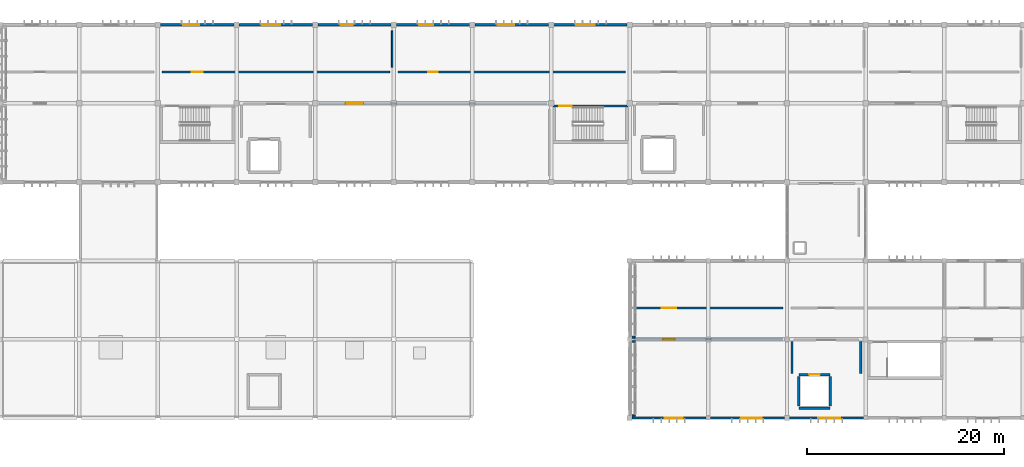
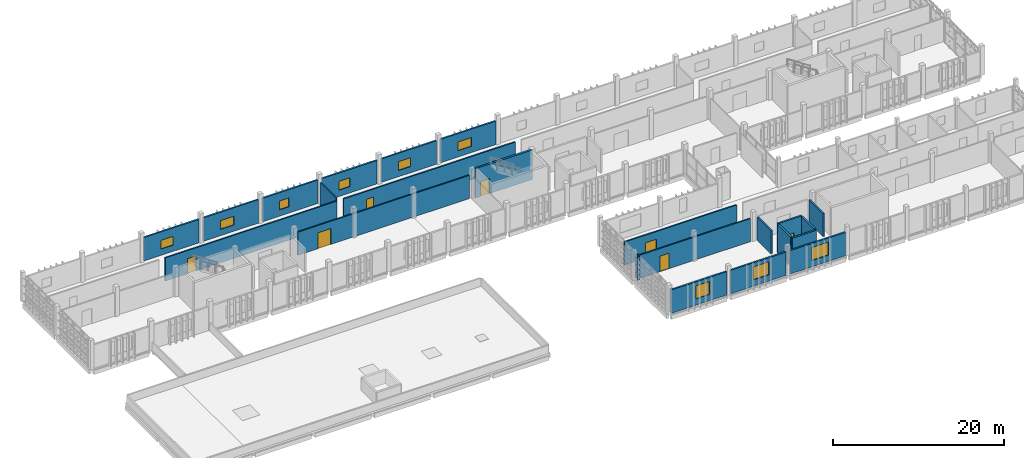
# One storey, part 21 of 32: 25 walls, 9 windows, 7 doors, 16 openings.
"""IFC4 building model written with IfcOpenShell, lengths in metres."""

from ifc_helpers import new_model, si_unit, direction, frame, frame_2d, origin, place, context, subcontext, project, spatial, rectangle, extrude, material, layer, layer_set, type_object, element, fill, save


model = new_model("IFC4")

# Units and contexts
model_context = context("Model", 3, precision=1e-05, world=origin(), true_north=direction((0.0, 1.0)))
body_context = subcontext(model_context, "Body", "Model", "MODEL_VIEW")
ifc_project = project(units=[si_unit("LENGTHUNIT", "METRE"), si_unit("AREAUNIT", "SQUARE_METRE"), si_unit("VOLUMEUNIT", "CUBIC_METRE"), si_unit("PLANEANGLEUNIT", "RADIAN"), si_unit("MASSUNIT", "GRAM", prefix="KILO")], contexts=[model_context])

# Site, building, storey
site_placement = place(None, origin())
site = spatial("IfcSite", under=ifc_project, at=site_placement, CompositionType="ELEMENT")
building_placement = place(site_placement, origin())
building = spatial("IfcBuilding", under=site, at=building_placement, Name="Jelvoka-Kovrelna Polytechnic", CompositionType="ELEMENT")
storey_placement = place(building_placement, frame((0.0, 0.0, 26.39990234375)))
storey = spatial("IfcBuildingStorey", under=building, at=storey_placement, Name="L07", CompositionType="ELEMENT", Elevation=26.39990234375)

# Walls
ifc_material_1 = material(Name="Concrete C35/45", Category="concrete")
ifc_layer_1 = layer(ifc_material_1, 0.219970703125)
ifc_layer_set_1 = layer_set([ifc_layer_1], Name="Concrete C35/45")
wall_type_1 = type_object("IfcWallType", Name="Wall_Compartment_220", PredefinedType="PARTITIONING", material=ifc_layer_set_1)
for number, where, z_axis, x_axis, name in (
    (1, (144.5, 36.550048828125, 0.0), (0.0, 0.0, 1.0), (0.0, 1.0, 0.0), "L07 interior wall 0510"),
    (2, (151.5, 36.550048828125, 0.0), (0.0, 0.0, 1.0), (0.0, 1.0, 0.0), "L07 interior wall 0511"),
):
    element("IfcWall", number, at=place(storey_placement, frame(where, z_axis=z_axis, x_axis=x_axis)), inside=storey, type_object=wall_type_1, Name=name, PredefinedType="PARTITIONING", context=body_context, shape_type="SweptSolid", body=[
        extrude(rectangle(XDim=3.25, YDim=0.219970703125, at=frame_2d((1.625, 0.0))), origin(), (0.0, 0.0, 1.0), 3.300048828125),
    ])

# Wall, opening, door
ifc_material_2 = material(Name="Concrete C40/50", Category="concrete")
ifc_layer_2 = layer(ifc_material_2, 0.25)
ifc_layer_set_2 = layer_set([ifc_layer_2], Name="Concrete C40/50")
wall_type_2 = type_object("IfcWallType", Name="Wall_Core_250", PredefinedType="SOLIDWALL", material=ifc_layer_set_2)
wall_1_placement = place(storey_placement, frame((120.199951171875, 63.739990234375, 0.0), z_axis=(0.0, 0.0, 1.0), x_axis=(1.0, 0.0, 0.0)))
wall_1 = element("IfcWall", 3, at=wall_1_placement, inside=storey, type_object=wall_type_2, Name="L07 interior wall 0247", PredefinedType="SOLIDWALL", context=body_context, shape_type="SweptSolid", body=[
    extrude(rectangle(XDim=7.650146484375, YDim=0.25, at=frame_2d((3.8251953125, 0.0))), origin(), (0.0, 0.0, 1.0), 4.2001953125),
])
opening_1_placement = place(wall_1_placement, frame((0.64990234375, 0.0, 0.0)))
opening_1 = element("IfcOpeningElement", 4, at=opening_1_placement, cuts=wall_1, Name="Opening SD-L07-062", PredefinedType="OPENING", context=body_context, shape_type="SweptSolid", body=[
    extrude(rectangle(XDim=1.25, YDim=2.14990234375, at=frame_2d((0.625, 1.074951171875))), frame((0.0, 0.135009765625, 0.0), z_axis=(0.0, -1.0, 0.0), x_axis=(1.0, 0.0, 0.0)), (0.0, 0.0, 1.0), 0.27001953125),
])
ifc_material_3 = material(Name="Powder-coated steel fire door", Category="steel")
door_type_1 = type_object("IfcDoorType", Name="Door_Fire_FD02", OperationType="NOTDEFINED", PredefinedType="DOOR", material=ifc_material_3)
door_1_placement = place(opening_1_placement, origin())
door_1 = element("IfcDoor", 5, at=door_1_placement, inside=storey, type_object=door_type_1, Name="L07 interior door SD-L07-062", OperationType="SINGLE_SWING_LEFT", OverallHeight=2.14990234375, OverallWidth=1.25, PredefinedType="DOOR", context=body_context, shape_type="SweptSolid", body=[
    extrude(rectangle(XDim=1.25, YDim=2.14990234375, at=frame_2d((0.625, 1.074951171875))), frame((0.0, 0.02490234375, 0.0), z_axis=(0.0, -1.0, 0.0), x_axis=(1.0, 0.0, 0.0)), (0.0, 0.0, 1.0), 0.050048828125),
])
fill(opening_1, door_1)

# Wall
wall_2_placement = place(storey_placement, frame((145.199951171875, 33.0, 0.0), z_axis=(0.0, 0.0, 1.0), x_axis=(1.0, 0.0, 0.0)))
element("IfcWall", 6, at=wall_2_placement, inside=storey, type_object=wall_type_2, Name="L07 interior wall 0505", PredefinedType="SOLIDWALL", context=body_context, shape_type="SweptSolid", body=[
    extrude(rectangle(XDim=3.199951171875, YDim=0.25, at=frame_2d((1.60009765625, 0.0))), origin(), (0.0, 0.0, 1.0), 4.2001953125),
])

# Wall, opening, door
wall_3_placement = place(storey_placement, frame((145.199951171875, 36.39990234375, 0.0), z_axis=(0.0, 0.0, 1.0), x_axis=(1.0, 0.0, 0.0)))
wall_3 = element("IfcWall", 7, at=wall_3_placement, inside=storey, type_object=wall_type_2, Name="L07 interior wall 0506", PredefinedType="SOLIDWALL", context=body_context, shape_type="SweptSolid", body=[
    extrude(rectangle(XDim=3.199951171875, YDim=0.25, at=frame_2d((1.60009765625, 0.0))), origin(), (0.0, 0.0, 1.0), 4.2001953125),
])
opening_2_placement = place(wall_3_placement, frame((1.050048828125, 0.0, 0.0)))
opening_2 = element("IfcOpeningElement", 8, at=opening_2_placement, cuts=wall_3, Name="Opening LD-L07-33", PredefinedType="OPENING", context=body_context, shape_type="SweptSolid", body=[
    extrude(rectangle(XDim=1.10009765625, YDim=2.14990234375, at=frame_2d((0.550048828125, 1.074951171875))), frame((0.0, 0.135009765625, 0.0), z_axis=(0.0, -1.0, 0.0), x_axis=(1.0, 0.0, 0.0)), (0.0, 0.0, 1.0), 0.27001953125),
])
ifc_material_4 = material(Name="Brushed stainless steel sliding landing door", Category="steel")
door_type_2 = type_object("IfcDoorType", Name="Door_Lift_LD01", OperationType="NOTDEFINED", PredefinedType="DOOR", material=ifc_material_4)
door_2_placement = place(opening_2_placement, origin())
door_2 = element("IfcDoor", 9, at=door_2_placement, inside=storey, type_object=door_type_2, Name="L07 lift landing sliding door LD-L07-33", OperationType="DOUBLE_DOOR_SLIDING", OverallHeight=2.14990234375, OverallWidth=1.10009765625, PredefinedType="DOOR", context=body_context, shape_type="SweptSolid", body=[
    extrude(rectangle(XDim=1.10009765625, YDim=2.14990234375, at=frame_2d((0.550048828125, 1.074951171875))), frame((0.0, 0.02490234375, 0.0), z_axis=(0.0, -1.0, 0.0), x_axis=(1.0, 0.0, 0.0)), (0.0, 0.0, 1.0), 0.050048828125),
])
fill(opening_2, door_2)

# Walls
for number, where, z_axis, x_axis, name in (
    (10, (145.199951171875, 33.199951171875, 0.0), (0.0, 0.0, 1.0), (0.0, 1.0, 0.0), "L07 interior wall 0507"),
    (11, (148.39990234375, 33.199951171875, 0.0), (0.0, 0.0, 1.0), (0.0, 1.0, 0.0), "L07 interior wall 0508"),
):
    element("IfcWall", number, at=place(storey_placement, frame(where, z_axis=z_axis, x_axis=x_axis)), inside=storey, type_object=wall_type_2, Name=name, PredefinedType="SOLIDWALL", context=body_context, shape_type="SweptSolid", body=[
        extrude(rectangle(XDim=3.0, YDim=0.25, at=frame_2d((1.5, 0.0))), origin(), (0.0, 0.0, 1.0), 4.2001953125),
    ])

# Wall, opening, door
ifc_material_5 = material(Name="Autoclaved aerated concrete blockwork", Category="masonry")
ifc_layer_3 = layer(ifc_material_5, 0.179931640625)
ifc_layer_set_3 = layer_set([ifc_layer_3], Name="Autoclaved aerated concrete blockwork")
wall_type_3 = type_object("IfcWallType", Name="Wall_Corridor_180", PredefinedType="PARTITIONING", material=ifc_layer_set_3)
wall_4_placement = place(storey_placement, frame((128.429931640625, 40.0, 0.0), z_axis=(0.0, 0.0, 1.0), x_axis=(1.0, 0.0, 0.0)))
wall_4 = element("IfcWall", 12, at=wall_4_placement, inside=storey, type_object=wall_type_3, Name="L07 interior wall 1277", PredefinedType="PARTITIONING", context=body_context, shape_type="SweptSolid", body=[
    extrude(rectangle(XDim=15.14013671875, YDim=0.179931640625, at=frame_2d((7.570068359375, 0.0))), origin(), (0.0, 0.0, 1.0), 3.300048828125),
])
opening_3_placement = place(wall_4_placement, frame((2.969970703125, 0.0, 0.0)))
opening_3 = element("IfcOpeningElement", 13, at=opening_3_placement, cuts=wall_4, Name="Opening D-L07-444", PredefinedType="OPENING", context=body_context, shape_type="SweptSolid", body=[
    extrude(rectangle(XDim=1.199951171875, YDim=2.199951171875, at=frame_2d((0.60009765625, 1.10009765625))), frame((0.0, 0.099853515625, 0.0), z_axis=(0.0, -1.0, 0.0), x_axis=(1.0, 0.0, 0.0)), (0.0, 0.0, 1.0), 0.199951171875),
])
ifc_material_6 = material(Name="Laboratory vision-panel door", Category="wood")
door_type_3 = type_object("IfcDoorType", Name="Door_Int_D13", OperationType="NOTDEFINED", PredefinedType="DOOR", material=ifc_material_6)
door_3_placement = place(opening_3_placement, origin())
door_3 = element("IfcDoor", 14, at=door_3_placement, inside=storey, type_object=door_type_3, Name="L07 interior door D-L07-444", OperationType="SINGLE_SWING_RIGHT", OverallHeight=2.199951171875, OverallWidth=1.199951171875, PredefinedType="DOOR", context=body_context, shape_type="SweptSolid", body=[
    extrude(rectangle(XDim=1.199951171875, YDim=2.199951171875, at=frame_2d((0.60009765625, 1.10009765625))), frame((0.0, 0.02490234375, 0.0), z_axis=(0.0, -1.0, 0.0), x_axis=(1.0, 0.0, 0.0)), (0.0, 0.0, 1.0), 0.050048828125),
])
fill(opening_3, door_3)

wall_5_placement = place(storey_placement, frame((128.429931640625, 43.199951171875, 0.0), z_axis=(0.0, 0.0, 1.0), x_axis=(1.0, 0.0, 0.0)))
wall_5 = element("IfcWall", 15, at=wall_5_placement, inside=storey, type_object=wall_type_3, Name="L07 interior wall 1281", PredefinedType="PARTITIONING", context=body_context, shape_type="SweptSolid", body=[
    extrude(rectangle(XDim=15.14013671875, YDim=0.179931640625, at=frame_2d((7.570068359375, 0.0))), origin(), (0.0, 0.0, 1.0), 3.300048828125),
])
opening_4_placement = place(wall_5_placement, frame((2.830078125, 0.0, 0.0)))
opening_4 = element("IfcOpeningElement", 16, at=opening_4_placement, cuts=wall_5, Name="Opening D-L07-447", PredefinedType="OPENING", context=body_context, shape_type="SweptSolid", body=[
    extrude(rectangle(XDim=1.47998046875, YDim=2.199951171875, at=frame_2d((0.739990234375, 1.10009765625))), frame((0.0, 0.099853515625, 0.0), z_axis=(0.0, -1.0, 0.0), x_axis=(1.0, 0.0, 0.0)), (0.0, 0.0, 1.0), 0.199951171875),
])
ifc_material_7 = material(Name="Paired studio double door", Category="wood")
door_type_4 = type_object("IfcDoorType", Name="Door_Int_D17", OperationType="NOTDEFINED", PredefinedType="DOOR", material=ifc_material_7)
door_4_placement = place(opening_4_placement, origin())
door_4 = element("IfcDoor", 17, at=door_4_placement, inside=storey, type_object=door_type_4, Name="L07 interior door D-L07-447", OperationType="DOUBLE_DOOR_SINGLE_SWING", OverallHeight=2.199951171875, OverallWidth=1.47998046875, PredefinedType="DOOR", context=body_context, shape_type="SweptSolid", body=[
    extrude(rectangle(XDim=1.47998046875, YDim=2.199951171875, at=frame_2d((0.739990234375, 1.10009765625))), frame((0.0, 0.02490234375, 0.0), z_axis=(0.0, -1.0, 0.0), x_axis=(1.0, 0.0, 0.0)), (0.0, 0.0, 1.0), 0.050048828125),
])
fill(opening_4, door_4)

wall_6_placement = place(storey_placement, frame((96.429931640625, 64.0, 0.0), z_axis=(0.0, 0.0, 1.0), x_axis=(1.0, 0.0, 0.0)))
wall_6 = element("IfcWall", 18, at=wall_6_placement, inside=storey, type_object=wall_type_3, Name="L07 interior wall 1285", PredefinedType="PARTITIONING", context=body_context, shape_type="SweptSolid", body=[
    extrude(rectangle(XDim=23.14013671875, YDim=0.179931640625, at=frame_2d((11.570068359375, 0.0))), origin(), (0.0, 0.0, 1.0), 3.300048828125),
])
opening_5_placement = place(wall_6_placement, frame((2.68994140625, 0.0, 0.0)))
opening_5 = element("IfcOpeningElement", 19, at=opening_5_placement, cuts=wall_6, Name="Opening D-L07-451", PredefinedType="OPENING", context=body_context, shape_type="SweptSolid", body=[
    extrude(rectangle(XDim=1.760009765625, YDim=2.25, at=frame_2d((0.8798828125, 1.125))), frame((0.0, 0.099853515625, 0.0), z_axis=(0.0, -1.0, 0.0), x_axis=(1.0, 0.0, 0.0)), (0.0, 0.0, 1.0), 0.199951171875),
])
ifc_material_8 = material(Name="Paired refectory hall double door", Category="wood")
door_type_5 = type_object("IfcDoorType", Name="Door_Int_D21", OperationType="NOTDEFINED", PredefinedType="DOOR", material=ifc_material_8)
door_5_placement = place(opening_5_placement, origin())
door_5 = element("IfcDoor", 20, at=door_5_placement, inside=storey, type_object=door_type_5, Name="L07 interior door D-L07-451", OperationType="DOUBLE_DOOR_SINGLE_SWING", OverallHeight=2.25, OverallWidth=1.760009765625, PredefinedType="DOOR", context=body_context, shape_type="SweptSolid", body=[
    extrude(rectangle(XDim=1.760009765625, YDim=2.25, at=frame_2d((0.8798828125, 1.125))), frame((0.0, 0.02490234375, 0.0), z_axis=(0.0, -1.0, 0.0), x_axis=(1.0, 0.0, 0.0)), (0.0, 0.0, 1.0), 0.050048828125),
])
fill(opening_5, door_5)

wall_7_placement = place(storey_placement, frame((80.429931640625, 67.199951171875, 0.0), z_axis=(0.0, 0.0, 1.0), x_axis=(1.0, 0.0, 0.0)))
wall_7 = element("IfcWall", 21, at=wall_7_placement, inside=storey, type_object=wall_type_3, Name="L07 interior wall 1292", PredefinedType="PARTITIONING", context=body_context, shape_type="SweptSolid", body=[
    extrude(rectangle(XDim=23.14013671875, YDim=0.179931640625, at=frame_2d((11.570068359375, 0.0))), origin(), (0.0, 0.0, 1.0), 3.300048828125),
])
opening_6_placement = place(wall_7_placement, frame((2.9951171875, 0.0, 0.0)))
opening_6 = element("IfcOpeningElement", 22, at=opening_6_placement, cuts=wall_7, Name="Opening D-L07-456", PredefinedType="OPENING", context=body_context, shape_type="SweptSolid", body=[
    extrude(rectangle(XDim=1.14990234375, YDim=2.14990234375, at=frame_2d((0.574951171875, 1.074951171875))), frame((0.0, 0.099853515625, 0.0), z_axis=(0.0, -1.0, 0.0), x_axis=(1.0, 0.0, 0.0)), (0.0, 0.0, 1.0), 0.199951171875),
])
ifc_material_9 = material(Name="Hardwood fire-resisting laboratory door", Category="wood")
door_type_6 = type_object("IfcDoorType", Name="Door_Fire_FD30_03", OperationType="NOTDEFINED", PredefinedType="DOOR", material=ifc_material_9)
door_6_placement = place(opening_6_placement, origin())
door_6 = element("IfcDoor", 23, at=door_6_placement, inside=storey, type_object=door_type_6, Name="L07 interior door D-L07-456", OperationType="SINGLE_SWING_RIGHT", OverallHeight=2.14990234375, OverallWidth=1.14990234375, PredefinedType="DOOR", context=body_context, shape_type="SweptSolid", body=[
    extrude(rectangle(XDim=1.14990234375, YDim=2.14990234375, at=frame_2d((0.574951171875, 1.074951171875))), frame((0.0, 0.02490234375, 0.0), z_axis=(0.0, -1.0, 0.0), x_axis=(1.0, 0.0, 0.0)), (0.0, 0.0, 1.0), 0.050048828125),
])
fill(opening_6, door_6)

wall_8_placement = place(storey_placement, frame((104.429931640625, 67.199951171875, 0.0), z_axis=(0.0, 0.0, 1.0), x_axis=(1.0, 0.0, 0.0)))
wall_8 = element("IfcWall", 24, at=wall_8_placement, inside=storey, type_object=wall_type_3, Name="L07 interior wall 1294", PredefinedType="PARTITIONING", context=body_context, shape_type="SweptSolid", body=[
    extrude(rectangle(XDim=23.14013671875, YDim=0.179931640625, at=frame_2d((11.570068359375, 0.0))), origin(), (0.0, 0.0, 1.0), 3.300048828125),
])
opening_7_placement = place(wall_8_placement, frame((3.090087890625, 0.0, 0.0)))
opening_7 = element("IfcOpeningElement", 25, at=opening_7_placement, cuts=wall_8, Name="Opening D-L07-457", PredefinedType="OPENING", context=body_context, shape_type="SweptSolid", body=[
    extrude(rectangle(XDim=0.9599609375, YDim=2.14990234375, at=frame_2d((0.47998046875, 1.074951171875))), frame((0.0, 0.099853515625, 0.0), z_axis=(0.0, -1.0, 0.0), x_axis=(1.0, 0.0, 0.0)), (0.0, 0.0, 1.0), 0.199951171875),
])
ifc_material_10 = material(Name="Hardwood solid-core door", Category="wood")
door_type_7 = type_object("IfcDoorType", Name="Door_Int_D07", OperationType="NOTDEFINED", PredefinedType="DOOR", material=ifc_material_10)
door_7_placement = place(opening_7_placement, origin())
door_7 = element("IfcDoor", 26, at=door_7_placement, inside=storey, type_object=door_type_7, Name="L07 interior door D-L07-457", OperationType="SINGLE_SWING_LEFT", OverallHeight=2.14990234375, OverallWidth=0.9599609375, PredefinedType="DOOR", context=body_context, shape_type="SweptSolid", body=[
    extrude(rectangle(XDim=0.9599609375, YDim=2.14990234375, at=frame_2d((0.47998046875, 1.074951171875))), frame((0.0, 0.02490234375, 0.0), z_axis=(0.0, -1.0, 0.0), x_axis=(1.0, 0.0, 0.0)), (0.0, 0.0, 1.0), 0.050048828125),
])
fill(opening_7, door_7)

# Wall, opening, window
ifc_material_11 = material(Name="Precast concrete C40/50", Category="concrete")
ifc_layer_4 = layer(ifc_material_11, 0.219970703125)
ifc_layer_set_4 = layer_set([ifc_layer_4], Name="Precast concrete C40/50")
wall_type_4 = type_object("IfcWallType", Name="Wall_Ext_White_220", PredefinedType="STANDARD", material=ifc_layer_set_4)
wall_9_placement = place(storey_placement, frame((135.778076171875, 32.0, 0.0), z_axis=(0.0, 0.0, 1.0), x_axis=(-1.0, 0.0, 0.0)))
wall_9 = element("IfcWall", 27, at=wall_9_placement, inside=storey, type_object=wall_type_4, Name="L07 exterior wall 0555", PredefinedType="STANDARD", context=body_context, shape_type="SweptSolid", body=[
    extrude(rectangle(XDim=7.531005859375, YDim=0.219970703125, at=frame_2d((3.765625, 0.0))), origin(), (0.0, 0.0, 1.0), 3.335205078125),
])
opening_8_placement = place(wall_9_placement, frame((2.35791015625, 0.0, 0.89990234375)))
opening_8 = element("IfcOpeningElement", 28, at=opening_8_placement, cuts=wall_9, Name="Opening W-L07-242", PredefinedType="OPENING", context=body_context, shape_type="SweptSolid", body=[
    extrude(rectangle(XDim=1.85009765625, YDim=1.85009765625, at=frame_2d((0.925048828125, 0.925048828125))), frame((0.0, 0.119873046875, 0.0), z_axis=(0.0, -1.0, 0.0), x_axis=(1.0, 0.0, 0.0)), (0.0, 0.0, 1.0), 0.239990234375),
])
ifc_material_12 = material(Name="Thermally broken anodised aluminium and low-e glazing", Category="aluminium")
window_type_1 = type_object("IfcWindowType", Name="Win_Casement_W45", PartitioningType="DOUBLE_PANEL_VERTICAL", PredefinedType="WINDOW", material=ifc_material_12)
window_1_placement = place(opening_8_placement, origin())
window_1 = element("IfcWindow", 29, at=window_1_placement, inside=storey, type_object=window_type_1, Name="L07 aluminium casement window W-L07-242", OverallHeight=1.85009765625, OverallWidth=1.85009765625, PartitioningType="DOUBLE_PANEL_VERTICAL", PredefinedType="WINDOW", context=body_context, shape_type="SweptSolid", body=[
    extrude(rectangle(XDim=1.85009765625, YDim=1.85009765625, at=frame_2d((0.925048828125, 0.925048828125))), frame((0.0, 0.030029296875, 0.0), z_axis=(0.0, -1.0, 0.0), x_axis=(1.0, 0.0, 0.0)), (0.0, 0.0, 1.0), 0.06005859375),
])
fill(opening_8, window_1)

wall_10_placement = place(storey_placement, frame((143.7529296875, 32.0, 0.0), z_axis=(0.0, 0.0, 1.0), x_axis=(-1.0, 0.0, 0.0)))
wall_10 = element("IfcWall", 30, at=wall_10_placement, inside=storey, type_object=wall_type_4, Name="L07 exterior wall 0557", PredefinedType="STANDARD", context=body_context, shape_type="SweptSolid", body=[
    extrude(rectangle(XDim=7.531005859375, YDim=0.219970703125, at=frame_2d((3.765625, 0.0))), origin(), (0.0, 0.0, 1.0), 3.335205078125),
])
opening_9_placement = place(wall_10_placement, frame((2.3330078125, 0.0, 0.89990234375)))
opening_9 = element("IfcOpeningElement", 31, at=opening_9_placement, cuts=wall_10, Name="Opening W-L07-244", PredefinedType="OPENING", context=body_context, shape_type="SweptSolid", body=[
    extrude(rectangle(XDim=2.050048828125, YDim=1.85009765625, at=frame_2d((1.02490234375, 0.925048828125))), frame((0.0, 0.119873046875, 0.0), z_axis=(0.0, -1.0, 0.0), x_axis=(1.0, 0.0, 0.0)), (0.0, 0.0, 1.0), 0.239990234375),
])
ifc_material_13 = material(Name="Thermally broken anodised aluminium and low-e glazing", Category="aluminium")
window_type_2 = type_object("IfcWindowType", Name="Win_Casement_W46", PartitioningType="DOUBLE_PANEL_VERTICAL", PredefinedType="WINDOW", material=ifc_material_13)
window_2_placement = place(opening_9_placement, origin())
window_2 = element("IfcWindow", 32, at=window_2_placement, inside=storey, type_object=window_type_2, Name="L07 aluminium casement window W-L07-244", OverallHeight=1.85009765625, OverallWidth=2.050048828125, PartitioningType="DOUBLE_PANEL_VERTICAL", PredefinedType="WINDOW", context=body_context, shape_type="SweptSolid", body=[
    extrude(rectangle(XDim=2.050048828125, YDim=1.85009765625, at=frame_2d((1.02490234375, 0.925048828125))), frame((0.0, 0.030029296875, 0.0), z_axis=(0.0, -1.0, 0.0), x_axis=(1.0, 0.0, 0.0)), (0.0, 0.0, 1.0), 0.06005859375),
])
fill(opening_9, window_2)

wall_11_placement = place(storey_placement, frame((151.778076171875, 32.0, 0.0), z_axis=(0.0, 0.0, 1.0), x_axis=(-1.0, 0.0, 0.0)))
wall_11 = element("IfcWall", 33, at=wall_11_placement, inside=storey, type_object=wall_type_4, Name="L07 exterior wall 0559", PredefinedType="STANDARD", context=body_context, shape_type="SweptSolid", body=[
    extrude(rectangle(XDim=7.531005859375, YDim=0.219970703125, at=frame_2d((3.765625, 0.0))), origin(), (0.0, 0.0, 1.0), 3.335205078125),
])
opening_10_placement = place(wall_11_placement, frame((2.35791015625, 0.0, 0.89990234375)))
opening_10 = element("IfcOpeningElement", 34, at=opening_10_placement, cuts=wall_11, Name="Opening W-L07-246", PredefinedType="OPENING", context=body_context, shape_type="SweptSolid", body=[
    extrude(rectangle(XDim=2.25, YDim=1.85009765625, at=frame_2d((1.125, 0.925048828125))), frame((0.0, 0.119873046875, 0.0), z_axis=(0.0, -1.0, 0.0), x_axis=(1.0, 0.0, 0.0)), (0.0, 0.0, 1.0), 0.239990234375),
])
ifc_material_14 = material(Name="Thermally broken anodised aluminium and low-e glazing", Category="aluminium")
window_type_3 = type_object("IfcWindowType", Name="Win_Casement_W47", PartitioningType="DOUBLE_PANEL_VERTICAL", PredefinedType="WINDOW", material=ifc_material_14)
window_3_placement = place(opening_10_placement, origin())
window_3 = element("IfcWindow", 35, at=window_3_placement, inside=storey, type_object=window_type_3, Name="L07 aluminium casement window W-L07-246", OverallHeight=1.85009765625, OverallWidth=2.25, PartitioningType="DOUBLE_PANEL_VERTICAL", PredefinedType="WINDOW", context=body_context, shape_type="SweptSolid", body=[
    extrude(rectangle(XDim=2.25, YDim=1.85009765625, at=frame_2d((1.125, 0.925048828125))), frame((0.0, 0.030029296875, 0.0), z_axis=(0.0, -1.0, 0.0), x_axis=(1.0, 0.0, 0.0)), (0.0, 0.0, 1.0), 0.06005859375),
])
fill(opening_10, window_3)

wall_12_placement = place(storey_placement, frame((80.27197265625, 72.0, 0.0), z_axis=(0.0, 0.0, 1.0), x_axis=(1.0, 0.0, 0.0)))
wall_12 = element("IfcWall", 36, at=wall_12_placement, inside=storey, type_object=wall_type_4, Name="L07 exterior wall 0786", PredefinedType="STANDARD", context=body_context, shape_type="SweptSolid", body=[
    extrude(rectangle(XDim=7.4560546875, YDim=0.219970703125, at=frame_2d((3.72802734375, 0.0))), origin(), (0.0, 0.0, 1.0), 3.35009765625),
])
opening_11_placement = place(wall_12_placement, frame((2.30810546875, 0.0, 0.89990234375)))
opening_11 = element("IfcOpeningElement", 37, at=opening_11_placement, cuts=wall_12, Name="Opening W-L07-440", PredefinedType="OPENING", context=body_context, shape_type="SweptSolid", body=[
    extrude(rectangle(XDim=1.64990234375, YDim=1.25, at=frame_2d((0.824951171875, 0.625))), frame((0.0, 0.119873046875, 0.0), z_axis=(0.0, -1.0, 0.0), x_axis=(1.0, 0.0, 0.0)), (0.0, 0.0, 1.0), 0.239990234375),
])
ifc_material_15 = material(Name="Thermally broken anodised aluminium and low-e glazing", Category="aluminium")
window_type_4 = type_object("IfcWindowType", Name="Win_Casement_W04", PartitioningType="DOUBLE_PANEL_VERTICAL", PredefinedType="WINDOW", material=ifc_material_15)
window_4_placement = place(opening_11_placement, origin())
window_4 = element("IfcWindow", 38, at=window_4_placement, inside=storey, type_object=window_type_4, Name="L07 aluminium casement window W-L07-440", OverallHeight=1.25, OverallWidth=1.64990234375, PartitioningType="DOUBLE_PANEL_VERTICAL", PredefinedType="WINDOW", context=body_context, shape_type="SweptSolid", body=[
    extrude(rectangle(XDim=1.64990234375, YDim=1.25, at=frame_2d((0.824951171875, 0.625))), frame((0.0, 0.030029296875, 0.0), z_axis=(0.0, -1.0, 0.0), x_axis=(1.0, 0.0, 0.0)), (0.0, 0.0, 1.0), 0.06005859375),
])
fill(opening_11, window_4)

wall_13_placement = place(storey_placement, frame((88.27197265625, 72.0, 0.0), z_axis=(0.0, 0.0, 1.0), x_axis=(1.0, 0.0, 0.0)))
wall_13 = element("IfcWall", 39, at=wall_13_placement, inside=storey, type_object=wall_type_4, Name="L07 exterior wall 0788", PredefinedType="STANDARD", context=body_context, shape_type="SweptSolid", body=[
    extrude(rectangle(XDim=7.4560546875, YDim=0.219970703125, at=frame_2d((3.72802734375, 0.0))), origin(), (0.0, 0.0, 1.0), 3.35009765625),
])
opening_12_placement = place(wall_13_placement, frame((2.30810546875, 0.0, 0.89990234375)))
opening_12 = element("IfcOpeningElement", 40, at=opening_12_placement, cuts=wall_13, Name="Opening W-L07-442", PredefinedType="OPENING", context=body_context, shape_type="SweptSolid", body=[
    extrude(rectangle(XDim=1.85009765625, YDim=1.25, at=frame_2d((0.925048828125, 0.625))), frame((0.0, 0.119873046875, 0.0), z_axis=(0.0, -1.0, 0.0), x_axis=(1.0, 0.0, 0.0)), (0.0, 0.0, 1.0), 0.239990234375),
])
ifc_material_16 = material(Name="Thermally broken anodised aluminium and low-e glazing", Category="aluminium")
window_type_5 = type_object("IfcWindowType", Name="Win_Casement_W05", PartitioningType="DOUBLE_PANEL_VERTICAL", PredefinedType="WINDOW", material=ifc_material_16)
window_5_placement = place(opening_12_placement, origin())
window_5 = element("IfcWindow", 41, at=window_5_placement, inside=storey, type_object=window_type_5, Name="L07 aluminium casement window W-L07-442", OverallHeight=1.25, OverallWidth=1.85009765625, PartitioningType="DOUBLE_PANEL_VERTICAL", PredefinedType="WINDOW", context=body_context, shape_type="SweptSolid", body=[
    extrude(rectangle(XDim=1.85009765625, YDim=1.25, at=frame_2d((0.925048828125, 0.625))), frame((0.0, 0.030029296875, 0.0), z_axis=(0.0, -1.0, 0.0), x_axis=(1.0, 0.0, 0.0)), (0.0, 0.0, 1.0), 0.06005859375),
])
fill(opening_12, window_5)

wall_14_placement = place(storey_placement, frame((96.27197265625, 72.0, 0.0), z_axis=(0.0, 0.0, 1.0), x_axis=(1.0, 0.0, 0.0)))
wall_14 = element("IfcWall", 42, at=wall_14_placement, inside=storey, type_object=wall_type_4, Name="L07 exterior wall 0790", PredefinedType="STANDARD", context=body_context, shape_type="SweptSolid", body=[
    extrude(rectangle(XDim=7.4560546875, YDim=0.219970703125, at=frame_2d((3.72802734375, 0.0))), origin(), (0.0, 0.0, 1.0), 3.35009765625),
])
opening_13_placement = place(wall_14_placement, frame((2.30810546875, 0.0, 0.89990234375)))
opening_13 = element("IfcOpeningElement", 43, at=opening_13_placement, cuts=wall_14, Name="Opening W-L07-444", PredefinedType="OPENING", context=body_context, shape_type="SweptSolid", body=[
    extrude(rectangle(XDim=1.25, YDim=1.25, at=frame_2d((0.625, 0.625))), frame((0.0, 0.119873046875, 0.0), z_axis=(0.0, -1.0, 0.0), x_axis=(1.0, 0.0, 0.0)), (0.0, 0.0, 1.0), 0.239990234375),
])
ifc_material_17 = material(Name="Thermally broken anodised aluminium and low-e glazing", Category="aluminium")
window_type_6 = type_object("IfcWindowType", Name="Win_Casement_W02", PartitioningType="SINGLE_PANEL", PredefinedType="WINDOW", material=ifc_material_17)
window_6_placement = place(opening_13_placement, origin())
window_6 = element("IfcWindow", 44, at=window_6_placement, inside=storey, type_object=window_type_6, Name="L07 aluminium casement window W-L07-444", OverallHeight=1.25, OverallWidth=1.25, PartitioningType="SINGLE_PANEL", PredefinedType="WINDOW", context=body_context, shape_type="SweptSolid", body=[
    extrude(rectangle(XDim=1.25, YDim=1.25, at=frame_2d((0.625, 0.625))), frame((0.0, 0.030029296875, 0.0), z_axis=(0.0, -1.0, 0.0), x_axis=(1.0, 0.0, 0.0)), (0.0, 0.0, 1.0), 0.06005859375),
])
fill(opening_13, window_6)

wall_15_placement = place(storey_placement, frame((104.27197265625, 72.0, 0.0), z_axis=(0.0, 0.0, 1.0), x_axis=(1.0, 0.0, 0.0)))
wall_15 = element("IfcWall", 45, at=wall_15_placement, inside=storey, type_object=wall_type_4, Name="L07 exterior wall 0792", PredefinedType="STANDARD", context=body_context, shape_type="SweptSolid", body=[
    extrude(rectangle(XDim=7.4560546875, YDim=0.219970703125, at=frame_2d((3.72802734375, 0.0))), origin(), (0.0, 0.0, 1.0), 3.35009765625),
])
opening_14_placement = place(wall_15_placement, frame((2.30810546875, 0.0, 0.89990234375)))
opening_14 = element("IfcOpeningElement", 46, at=opening_14_placement, cuts=wall_15, Name="Opening W-L07-446", PredefinedType="OPENING", context=body_context, shape_type="SweptSolid", body=[
    extrude(rectangle(XDim=1.449951171875, YDim=1.25, at=frame_2d((0.72509765625, 0.625))), frame((0.0, 0.119873046875, 0.0), z_axis=(0.0, -1.0, 0.0), x_axis=(1.0, 0.0, 0.0)), (0.0, 0.0, 1.0), 0.239990234375),
])
ifc_material_18 = material(Name="Thermally broken anodised aluminium and low-e glazing", Category="aluminium")
window_type_7 = type_object("IfcWindowType", Name="Win_Casement_W03", PartitioningType="SINGLE_PANEL", PredefinedType="WINDOW", material=ifc_material_18)
window_7_placement = place(opening_14_placement, origin())
window_7 = element("IfcWindow", 47, at=window_7_placement, inside=storey, type_object=window_type_7, Name="L07 aluminium casement window W-L07-446", OverallHeight=1.25, OverallWidth=1.449951171875, PartitioningType="SINGLE_PANEL", PredefinedType="WINDOW", context=body_context, shape_type="SweptSolid", body=[
    extrude(rectangle(XDim=1.449951171875, YDim=1.25, at=frame_2d((0.72509765625, 0.625))), frame((0.0, 0.030029296875, 0.0), z_axis=(0.0, -1.0, 0.0), x_axis=(1.0, 0.0, 0.0)), (0.0, 0.0, 1.0), 0.06005859375),
])
fill(opening_14, window_7)

wall_16_placement = place(storey_placement, frame((112.27197265625, 72.0, 0.0), z_axis=(0.0, 0.0, 1.0), x_axis=(1.0, 0.0, 0.0)))
wall_16 = element("IfcWall", 48, at=wall_16_placement, inside=storey, type_object=wall_type_4, Name="L07 exterior wall 0794", PredefinedType="STANDARD", context=body_context, shape_type="SweptSolid", body=[
    extrude(rectangle(XDim=7.4560546875, YDim=0.219970703125, at=frame_2d((3.72802734375, 0.0))), origin(), (0.0, 0.0, 1.0), 3.35009765625),
])
opening_15_placement = place(wall_16_placement, frame((2.30810546875, 0.0, 0.89990234375)))
opening_15 = element("IfcOpeningElement", 49, at=opening_15_placement, cuts=wall_16, Name="Opening W-L07-448", PredefinedType="OPENING", context=body_context, shape_type="SweptSolid", body=[
    extrude(rectangle(XDim=1.64990234375, YDim=1.25, at=frame_2d((0.824951171875, 0.625))), frame((0.0, 0.119873046875, 0.0), z_axis=(0.0, -1.0, 0.0), x_axis=(1.0, 0.0, 0.0)), (0.0, 0.0, 1.0), 0.239990234375),
])
window_8_placement = place(opening_15_placement, origin())
window_8 = element("IfcWindow", 50, at=window_8_placement, inside=storey, type_object=window_type_4, Name="L07 aluminium casement window W-L07-448", OverallHeight=1.25, OverallWidth=1.64990234375, PartitioningType="DOUBLE_PANEL_VERTICAL", PredefinedType="WINDOW", context=body_context, shape_type="SweptSolid", body=[
    extrude(rectangle(XDim=1.64990234375, YDim=1.25, at=frame_2d((0.824951171875, 0.625))), frame((0.0, 0.030029296875, 0.0), z_axis=(0.0, -1.0, 0.0), x_axis=(1.0, 0.0, 0.0)), (0.0, 0.0, 1.0), 0.06005859375),
])
fill(opening_15, window_8)

wall_17_placement = place(storey_placement, frame((120.27197265625, 72.0, 0.0), z_axis=(0.0, 0.0, 1.0), x_axis=(1.0, 0.0, 0.0)))
wall_17 = element("IfcWall", 51, at=wall_17_placement, inside=storey, type_object=wall_type_4, Name="L07 exterior wall 0796", PredefinedType="STANDARD", context=body_context, shape_type="SweptSolid", body=[
    extrude(rectangle(XDim=7.4560546875, YDim=0.219970703125, at=frame_2d((3.72802734375, 0.0))), origin(), (0.0, 0.0, 1.0), 3.35009765625),
])
opening_16_placement = place(wall_17_placement, frame((2.30810546875, 0.0, 0.89990234375)))
opening_16 = element("IfcOpeningElement", 52, at=opening_16_placement, cuts=wall_17, Name="Opening W-L07-450", PredefinedType="OPENING", context=body_context, shape_type="SweptSolid", body=[
    extrude(rectangle(XDim=1.85009765625, YDim=1.25, at=frame_2d((0.925048828125, 0.625))), frame((0.0, 0.119873046875, 0.0), z_axis=(0.0, -1.0, 0.0), x_axis=(1.0, 0.0, 0.0)), (0.0, 0.0, 1.0), 0.239990234375),
])
window_9_placement = place(opening_16_placement, origin())
window_9 = element("IfcWindow", 53, at=window_9_placement, inside=storey, type_object=window_type_5, Name="L07 aluminium casement window W-L07-450", OverallHeight=1.25, OverallWidth=1.85009765625, PartitioningType="DOUBLE_PANEL_VERTICAL", PredefinedType="WINDOW", context=body_context, shape_type="SweptSolid", body=[
    extrude(rectangle(XDim=1.85009765625, YDim=1.25, at=frame_2d((0.925048828125, 0.625))), frame((0.0, 0.030029296875, 0.0), z_axis=(0.0, -1.0, 0.0), x_axis=(1.0, 0.0, 0.0)), (0.0, 0.0, 1.0), 0.06005859375),
])
fill(opening_16, window_9)

# Walls
ifc_material_19 = material(Name="Precast concrete C40/50", Category="concrete")
ifc_layer_5 = layer(ifc_material_19, 0.199951171875)
ifc_layer_set_5 = layer_set([ifc_layer_5], Name="Precast concrete C40/50")
wall_type_5 = type_object("IfcWallType", Name="Wall_Parapet_200", PredefinedType="PARAPET", material=ifc_layer_set_5)
for number, where, z_axis, x_axis, name in (
    (54, (128.239990234375, 32.219970703125, 0.0), (0.0, 0.0, 1.0), (1.0, 0.0, 0.0), "L07 exterior wall 0568"),
    (55, (128.239990234375, 39.780029296875, 0.0), (0.0, 0.0, 1.0), (1.0, 0.0, 0.0), "L07 exterior wall 0569"),
    (56, (128.239990234375, 40.219970703125, 0.0), (0.0, 0.0, 1.0), (1.0, 0.0, 0.0), "L07 exterior wall 0570"),
):
    element("IfcWall", number, at=place(storey_placement, frame(where, z_axis=z_axis, x_axis=x_axis)), inside=storey, type_object=wall_type_5, Name=name, PredefinedType="PARAPET", context=body_context, shape_type="SweptSolid", body=[
        extrude(rectangle(XDim=0.320068359375, YDim=0.199951171875, at=frame_2d((0.16015625, 0.0))), origin(), (0.0, 0.0, 1.0), 3.35009765625),
    ])
ifc_material_20 = material(Name="Autoclaved aerated concrete blockwork", Category="masonry")
ifc_layer_6 = layer(ifc_material_20, 0.14990234375)
ifc_layer_set_6 = layer_set([ifc_layer_6], Name="Autoclaved aerated concrete blockwork")
wall_type_6 = type_object("IfcWallType", Name="Wall_Partition_150", PredefinedType="PARTITIONING", material=ifc_layer_set_6)
wall_18_placement = place(storey_placement, frame((103.820068359375, 67.669921875, 0.0), z_axis=(0.0, 0.0, 1.0), x_axis=(0.0, 1.0, 0.0)))
element("IfcWall", 57, at=wall_18_placement, inside=storey, type_object=wall_type_6, Name="L07 interior wall 1293", PredefinedType="PARTITIONING", context=body_context, shape_type="SweptSolid", body=[
    extrude(rectangle(XDim=3.7099609375, YDim=0.14990234375, at=frame_2d((1.85498046875, 0.0))), origin(), (0.0, 0.0, 1.0), 3.300048828125),
])

save(model, "model.ifc")
